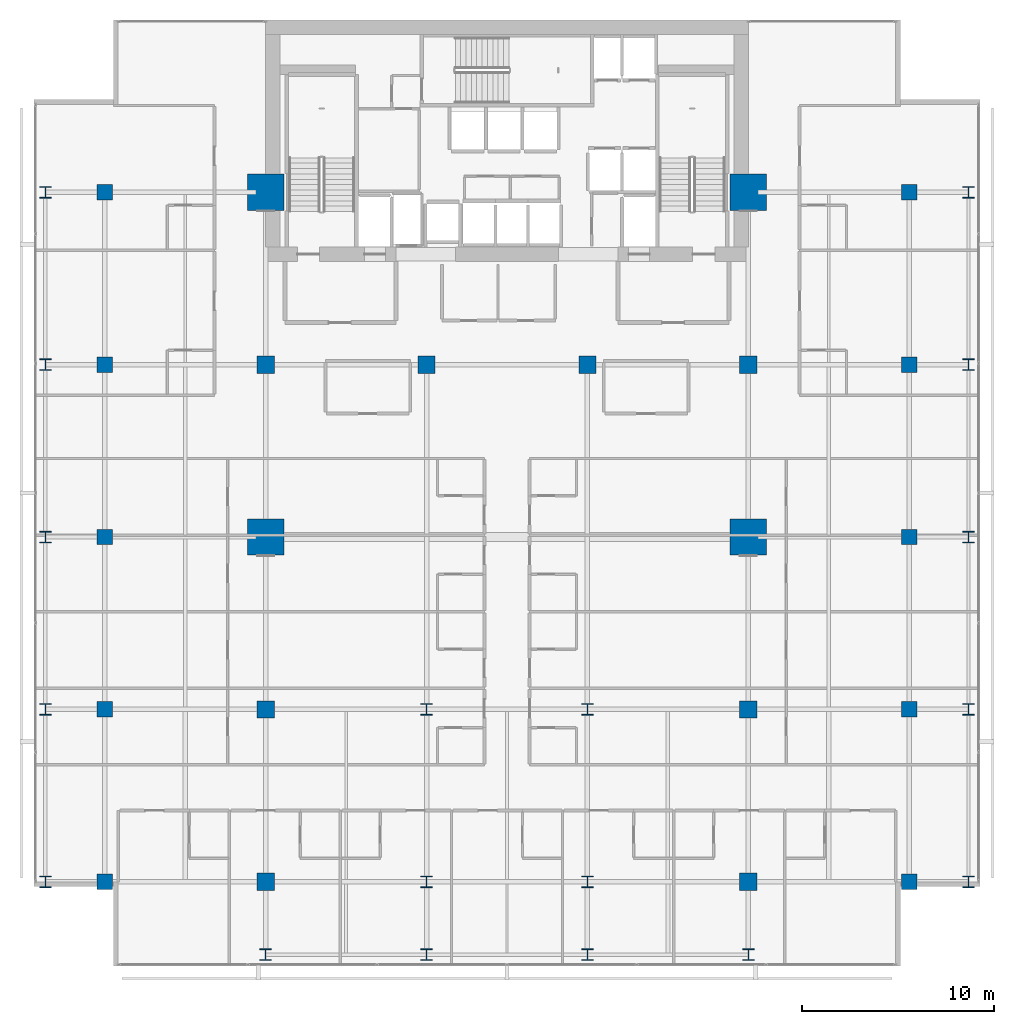
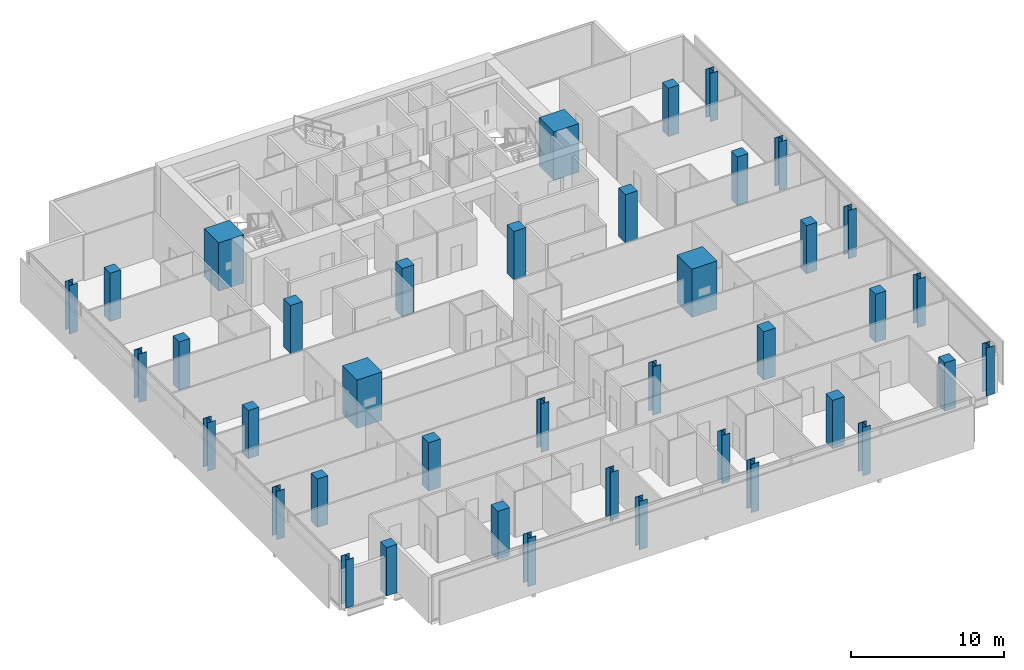
# One storey, part 1 of 34: 40 columns.
"""IFC4 building model written with IfcOpenShell, lengths in metres."""

from ifc_helpers import new_model, si_unit, direction, frame, origin, origin_2d, place, context, subcontext, project, spatial, rectangle, i_section, extrude, material, material_profile, profile_set, type_object, element, save


model = new_model("IFC4")

# Units and contexts
model_context = context("Model", 3, precision=1e-05, world=origin(), true_north=direction((0.0, 1.0)))
body_context = subcontext(model_context, "Body", "Model", "MODEL_VIEW")
ifc_project = project(units=[si_unit("LENGTHUNIT", "METRE"), si_unit("AREAUNIT", "SQUARE_METRE"), si_unit("VOLUMEUNIT", "CUBIC_METRE"), si_unit("PLANEANGLEUNIT", "RADIAN"), si_unit("MASSUNIT", "GRAM", prefix="KILO")], contexts=[model_context])

# Site, building, storey
site_placement = place(None, origin())
site = spatial("IfcSite", under=ifc_project, at=site_placement, CompositionType="ELEMENT")
building_placement = place(site_placement, origin())
building = spatial("IfcBuilding", under=site, at=building_placement, Name="Maruvema Waterfront Hotel and Observation Tower", CompositionType="ELEMENT")
storey_placement = place(building_placement, frame((0.0, 0.0, 135.10009765625)))
storey = spatial("IfcBuildingStorey", under=building, at=storey_placement, Name="L32", CompositionType="ELEMENT", Elevation=135.10009765625)

# Columns
ifc_material_1 = material(Name="Concrete C80/95", Category="concrete")
ifc_material_profile_1 = material_profile(ifc_material_1, rectangle(XDim=1.89990234375, YDim=1.89990234375, at=origin_2d()), Name="MC1900x1900")
ifc_profile_set_1 = profile_set([ifc_material_profile_1], Name="Concrete C80/95")
column_type_1 = type_object("IfcColumnType", Name="Continuous Mega-Column MC1900x1900", PredefinedType="COLUMN", material=ifc_profile_set_1)
for number, where, z_axis, x_axis, name in (
    (1, (25.199951171875, 27.0, 0.0), (0.0, 0.0, 1.0), (1.0, 0.0, 0.0), "L32 Continuous Mega-Column MC-01"),
    (2, (50.39990234375, 27.0, 0.0), (0.0, 0.0, 1.0), (1.0, 0.0, 0.0), "L32 Continuous Mega-Column MC-02"),
    (3, (25.199951171875, 45.0, 0.0), (0.0, 0.0, 1.0), (1.0, 0.0, 0.0), "L32 Continuous Mega-Column MC-03"),
    (4, (50.39990234375, 45.0, 0.0), (0.0, 0.0, 1.0), (1.0, 0.0, 0.0), "L32 Continuous Mega-Column MC-04"),
):
    element("IfcColumn", number, at=place(storey_placement, frame(where, z_axis=z_axis, x_axis=x_axis)), inside=storey, type_object=column_type_1, Name=name, PredefinedType="COLUMN", context=body_context, shape_type="SweptSolid", body=[
        extrude(rectangle(XDim=1.89990234375, YDim=1.89990234375, at=origin_2d()), origin(), (0.0, 0.0, 1.0), 3.849853515625),
    ])
ifc_material_2 = material(Name="Concrete C60/75", Category="concrete")
ifc_material_profile_2 = material_profile(ifc_material_2, rectangle(XDim=0.800048828125, YDim=0.800048828125, at=origin_2d()), Name="RC800x800")
ifc_profile_set_2 = profile_set([ifc_material_profile_2], Name="Concrete C60/75")
column_type_2 = type_object("IfcColumnType", Name="Reinforced Concrete Column RC800x800", PredefinedType="COLUMN", material=ifc_profile_set_2)
for number, where, z_axis, x_axis, name in (
    (5, (16.800048828125, 9.0, 0.0), (0.0, 0.0, 1.0), (1.0, 0.0, 0.0), "L32 Column C-3Y9"),
    (6, (58.800048828125, 9.0, 0.0), (0.0, 0.0, 1.0), (1.0, 0.0, 0.0), "L32 Column C-8Y9"),
    (7, (16.800048828125, 18.0, 0.0), (0.0, 0.0, 1.0), (1.0, 0.0, 0.0), "L32 Column C-3Y18"),
    (8, (58.800048828125, 18.0, 0.0), (0.0, 0.0, 1.0), (1.0, 0.0, 0.0), "L32 Column C-8Y18"),
    (9, (16.800048828125, 27.0, 0.0), (0.0, 0.0, 1.0), (1.0, 0.0, 0.0), "L32 Column C-3Y27"),
    (10, (58.800048828125, 27.0, 0.0), (0.0, 0.0, 1.0), (1.0, 0.0, 0.0), "L32 Column C-8Y27"),
    (11, (16.800048828125, 36.0, 0.0), (0.0, 0.0, 1.0), (1.0, 0.0, 0.0), "L32 Column C-3Y36"),
    (12, (58.800048828125, 36.0, 0.0), (0.0, 0.0, 1.0), (1.0, 0.0, 0.0), "L32 Column C-8Y36"),
    (13, (16.800048828125, 45.0, 0.0), (0.0, 0.0, 1.0), (1.0, 0.0, 0.0), "L32 Column C-3Y45"),
    (14, (58.800048828125, 45.0, 0.0), (0.0, 0.0, 1.0), (1.0, 0.0, 0.0), "L32 Column C-8Y45"),
):
    element("IfcColumn", number, at=place(storey_placement, frame(where, z_axis=z_axis, x_axis=x_axis)), inside=storey, type_object=column_type_2, Name=name, PredefinedType="COLUMN", context=body_context, shape_type="SweptSolid", body=[
        extrude(rectangle(XDim=0.800048828125, YDim=0.800048828125, at=origin_2d()), origin(), (0.0, 0.0, 1.0), 3.849853515625),
    ])
ifc_material_3 = material(Name="Concrete C60/75", Category="concrete")
ifc_material_profile_3 = material_profile(ifc_material_3, rectangle(XDim=0.89990234375, YDim=0.89990234375, at=origin_2d()), Name="RC900x900")
ifc_profile_set_3 = profile_set([ifc_material_profile_3], Name="Concrete C60/75")
column_type_3 = type_object("IfcColumnType", Name="Reinforced Concrete Column RC900x900", PredefinedType="COLUMN", material=ifc_profile_set_3)
for number, where, z_axis, x_axis, name in (
    (15, (25.199951171875, 36.0, 0.0), (0.0, 0.0, 1.0), (1.0, 0.0, 0.0), "L32 Column C-4E"),
    (16, (33.60009765625, 36.0, 0.0), (0.0, 0.0, 1.0), (1.0, 0.0, 0.0), "L32 Column C-5E"),
    (17, (42.0, 36.0, 0.0), (0.0, 0.0, 1.0), (1.0, 0.0, 0.0), "L32 Column C-6E"),
    (18, (50.39990234375, 36.0, 0.0), (0.0, 0.0, 1.0), (1.0, 0.0, 0.0), "L32 Column C-7E"),
    (19, (25.199951171875, 18.0, 0.0), (0.0, 0.0, 1.0), (1.0, 0.0, 0.0), "L32 Column C-4C"),
    (20, (50.39990234375, 18.0, 0.0), (0.0, 0.0, 1.0), (1.0, 0.0, 0.0), "L32 Column C-7C"),
    (21, (25.199951171875, 9.0, 0.0), (0.0, 0.0, 1.0), (1.0, 0.0, 0.0), "L32 Column C-4B"),
    (22, (50.39990234375, 9.0, 0.0), (0.0, 0.0, 1.0), (1.0, 0.0, 0.0), "L32 Column C-7B"),
):
    element("IfcColumn", number, at=place(storey_placement, frame(where, z_axis=z_axis, x_axis=x_axis)), inside=storey, type_object=column_type_3, Name=name, PredefinedType="COLUMN", context=body_context, shape_type="SweptSolid", body=[
        extrude(rectangle(XDim=0.89990234375, YDim=0.89990234375, at=origin_2d()), origin(), (0.0, 0.0, 1.0), 3.849853515625),
    ])
ifc_material_4 = material(Name="Steel ABNT NBR 7007 AR 415 (ASTM A572 Grade 50)", Category="steel")
ifc_material_profile_4 = material_profile(ifc_material_4, i_section(OverallWidth=0.60009765625, OverallDepth=0.60009765625, WebThickness=0.02490234375, FlangeThickness=0.0380859375, at=origin_2d()), Name="CVS600x317")
ifc_profile_set_4 = profile_set([ifc_material_profile_4], Name="Steel ABNT NBR 7007 AR 415 (ASTM A572 Grade 50)")
column_type_4 = type_object("IfcColumnType", Name="Structural Steel Column CVS600x317", PredefinedType="COLUMN", material=ifc_profile_set_4)
for number, where, z_axis, x_axis, name in (
    (23, (33.60009765625, 9.0, 0.0), (0.0, 0.0, 1.0), (1.0, 0.0, 0.0), "L32 Column C-5B"),
    (24, (42.0, 9.0, 0.0), (0.0, 0.0, 1.0), (1.0, 0.0, 0.0), "L32 Column C-6B"),
    (25, (33.60009765625, 18.0, 0.0), (0.0, 0.0, 1.0), (1.0, 0.0, 0.0), "L32 Column C-5C"),
    (26, (42.0, 18.0, 0.0), (0.0, 0.0, 1.0), (1.0, 0.0, 0.0), "L32 Column C-6C"),
    (27, (13.699951171875, 9.0, 0.0), (0.0, 0.0, 1.0), (1.0, 0.0, 0.0), "L32 Column C-Z2W9"),
    (28, (61.89990234375, 9.0, 0.0), (0.0, 0.0, 1.0), (1.0, 0.0, 0.0), "L32 Column C-Z2E9"),
    (29, (13.699951171875, 18.0, 0.0), (0.0, 0.0, 1.0), (1.0, 0.0, 0.0), "L32 Column C-Z2W18"),
    (30, (61.89990234375, 18.0, 0.0), (0.0, 0.0, 1.0), (1.0, 0.0, 0.0), "L32 Column C-Z2E18"),
    (31, (13.699951171875, 27.0, 0.0), (0.0, 0.0, 1.0), (1.0, 0.0, 0.0), "L32 Column C-Z2W27"),
    (32, (61.89990234375, 27.0, 0.0), (0.0, 0.0, 1.0), (1.0, 0.0, 0.0), "L32 Column C-Z2E27"),
    (33, (13.699951171875, 36.0, 0.0), (0.0, 0.0, 1.0), (1.0, 0.0, 0.0), "L32 Column C-Z2W36"),
    (34, (61.89990234375, 36.0, 0.0), (0.0, 0.0, 1.0), (1.0, 0.0, 0.0), "L32 Column C-Z2E36"),
    (35, (13.699951171875, 45.0, 0.0), (0.0, 0.0, 1.0), (1.0, 0.0, 0.0), "L32 Column C-Z2W45"),
    (36, (61.89990234375, 45.0, 0.0), (0.0, 0.0, 1.0), (1.0, 0.0, 0.0), "L32 Column C-Z2E45"),
    (37, (25.199951171875, 5.199951171875, 0.0), (0.0, 0.0, 1.0), (1.0, 0.0, 0.0), "L32 Column C-Z2S4"),
    (38, (33.60009765625, 5.199951171875, 0.0), (0.0, 0.0, 1.0), (1.0, 0.0, 0.0), "L32 Column C-Z2S5"),
    (39, (42.0, 5.199951171875, 0.0), (0.0, 0.0, 1.0), (1.0, 0.0, 0.0), "L32 Column C-Z2S6"),
    (40, (50.39990234375, 5.199951171875, 0.0), (0.0, 0.0, 1.0), (1.0, 0.0, 0.0), "L32 Column C-Z2S7"),
):
    element("IfcColumn", number, at=place(storey_placement, frame(where, z_axis=z_axis, x_axis=x_axis)), inside=storey, type_object=column_type_4, Name=name, PredefinedType="COLUMN", context=body_context, shape_type="SweptSolid", body=[
        extrude(i_section(OverallWidth=0.60009765625, OverallDepth=0.60009765625, WebThickness=0.02490234375, FlangeThickness=0.0380859375, at=origin_2d()), origin(), (0.0, 0.0, 1.0), 3.849853515625),
    ])

save(model, "model.ifc")
